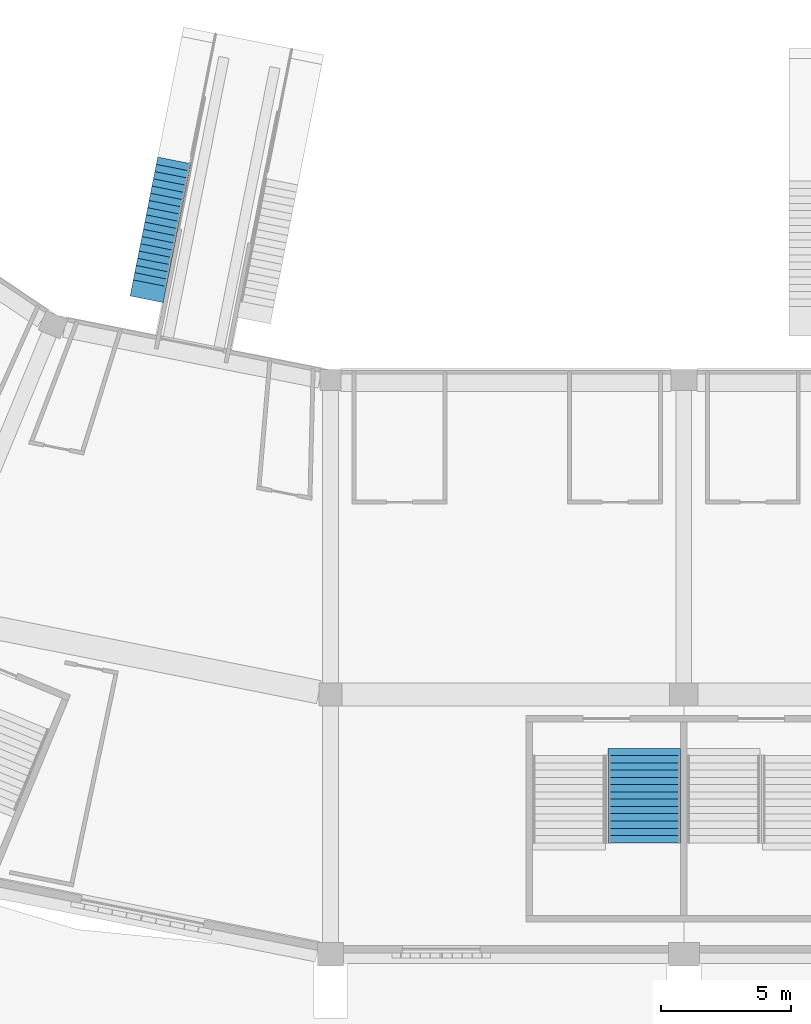
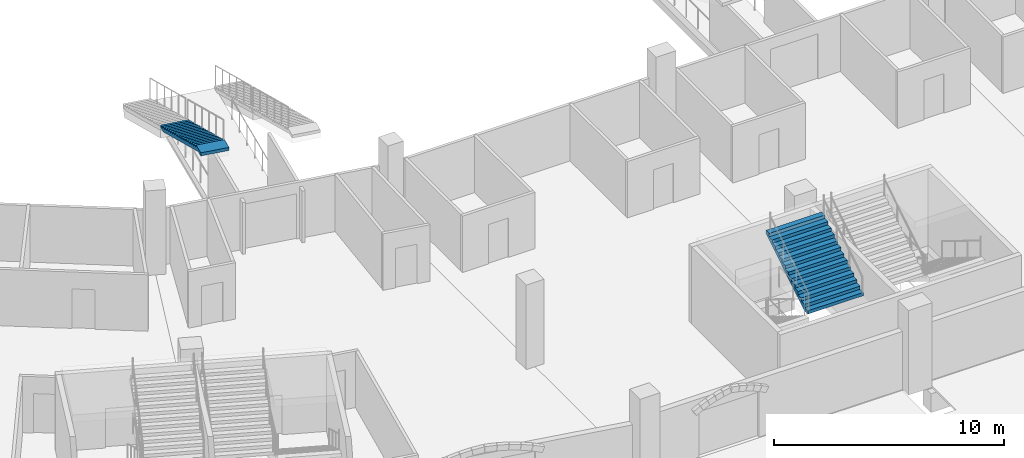
# One storey, part 52 of 175: 2 stair flights, 2 elements without a shape of their own.
"""IFC4 building model written with IfcOpenShell, lengths in metres."""

from ifc_helpers import new_model, si_unit, direction, frame, origin, place, context, subcontext, project, spatial, faceted_brep, material, type_object, element, aggregate, save


model = new_model("IFC4")

# Units and contexts
model_context = context("Model", 3, precision=1e-05, world=origin(), true_north=direction((0.0, 1.0)))
body_context = subcontext(model_context, "Body", "Model", "MODEL_VIEW")
ifc_project = project(units=[si_unit("LENGTHUNIT", "METRE"), si_unit("AREAUNIT", "SQUARE_METRE"), si_unit("VOLUMEUNIT", "CUBIC_METRE"), si_unit("PLANEANGLEUNIT", "RADIAN"), si_unit("MASSUNIT", "GRAM", prefix="KILO")], contexts=[model_context])

# Site, building, storey
site_placement = place(None, origin())
site = spatial("IfcSite", under=ifc_project, at=site_placement, CompositionType="ELEMENT")
building_placement = place(site_placement, origin())
building = spatial("IfcBuilding", under=site, at=building_placement, Name="Ogive Plaza Stadium", CompositionType="ELEMENT")
storey_placement = place(building_placement, origin())
storey = spatial("IfcBuildingStorey", under=building, at=storey_placement, Name="L00", CompositionType="ELEMENT", Elevation=0.0)

# Stair, stair flight
ifc_material_1 = material(Name="Concrete C40/50", Category="concrete")
stair_type_1 = type_object("IfcStairType", Name="Aisle stair", PredefinedType="STRAIGHT_RUN_STAIR", material=ifc_material_1)
stair_1_placement = place(storey_placement, origin())
stair_1 = element("IfcStair", 1, at=stair_1_placement, inside=storey, type_object=stair_type_1, Name="Aisle stair SA17L", PredefinedType="STRAIGHT_RUN_STAIR")
ifc_material_2 = material(Name="Concrete C40/50", Category="concrete")
stair_flight_type_1 = type_object("IfcStairFlightType", Name="Aisle stair flight", PredefinedType="STRAIGHT", material=ifc_material_2)
stair_flight_1_placement = place(storey_placement, frame((-40.01025390625, -71.951171875, 2.25), z_axis=(0.0, 0.0, 1.0), x_axis=(-0.195090322016, -0.980785280403, 0.0)))
stair_flight_1 = element("IfcStairFlight", 2, at=stair_flight_1_placement, type_object=stair_flight_type_1, Name="SA17L flight 2", NumberOfRisers=18, NumberOfTreads=17, PredefinedType="STRAIGHT", RiserHeight=0.125, TreadLength=0.283333333, context=body_context, shape_type="Brep", body=[
    faceted_brep([(0.371337890625, -0.64990234375, 0.0), (5.10009765625, -0.64990234375, 2.086181640625), (5.446533203125, -0.64990234375, 2.086181640625), (5.446533203125, -0.64990234375, 2.25), (4.816650390625, -0.64990234375, 2.25), (4.816650390625, -0.64990234375, 2.125), (4.533447265625, -0.64990234375, 2.125), (4.533447265625, -0.64990234375, 2.0), (4.25, -0.64990234375, 2.0), (4.25, -0.64990234375, 1.875), (3.966552734375, -0.64990234375, 1.875), (3.966552734375, -0.64990234375, 1.75), (3.683349609375, -0.64990234375, 1.75), (3.683349609375, -0.64990234375, 1.625), (3.39990234375, -0.64990234375, 1.625), (3.39990234375, -0.64990234375, 1.5), (3.11669921875, -0.64990234375, 1.5), (3.11669921875, -0.64990234375, 1.375), (2.833251953125, -0.64990234375, 1.375), (2.833251953125, -0.64990234375, 1.25), (2.550048828125, -0.64990234375, 1.25), (2.550048828125, -0.64990234375, 1.125), (2.2666015625, -0.64990234375, 1.125), (2.2666015625, -0.64990234375, 1.0), (1.9833984375, -0.64990234375, 1.0), (1.9833984375, -0.64990234375, 0.875), (1.699951171875, -0.64990234375, 0.875), (1.699951171875, -0.64990234375, 0.75), (1.416748046875, -0.64990234375, 0.75), (1.416748046875, -0.64990234375, 0.625), (1.13330078125, -0.64990234375, 0.625), (1.13330078125, -0.64990234375, 0.5), (0.85009765625, -0.64990234375, 0.5), (0.85009765625, -0.64990234375, 0.375), (0.566650390625, -0.64990234375, 0.375), (0.566650390625, -0.64990234375, 0.25), (0.283447265625, -0.64990234375, 0.25), (0.283447265625, -0.64990234375, 0.125), (0.0, -0.64990234375, 0.125), (0.0, -0.64990234375, 0.0), (0.0, 0.64990234375, 0.0), (0.0, 0.64990234375, 0.125), (0.283447265625, 0.64990234375, 0.125), (0.283447265625, 0.64990234375, 0.25), (0.566650390625, 0.64990234375, 0.25), (0.566650390625, 0.64990234375, 0.375), (0.85009765625, 0.64990234375, 0.375), (0.85009765625, 0.64990234375, 0.5), (1.13330078125, 0.64990234375, 0.5), (1.13330078125, 0.64990234375, 0.625), (1.416748046875, 0.64990234375, 0.625), (1.416748046875, 0.64990234375, 0.75), (1.699951171875, 0.64990234375, 0.75), (1.699951171875, 0.64990234375, 0.875), (1.9833984375, 0.64990234375, 0.875), (1.9833984375, 0.64990234375, 1.0), (2.2666015625, 0.64990234375, 1.0), (2.2666015625, 0.64990234375, 1.125), (2.550048828125, 0.64990234375, 1.125), (2.550048828125, 0.64990234375, 1.25), (2.833251953125, 0.64990234375, 1.25), (2.833251953125, 0.64990234375, 1.375), (3.11669921875, 0.64990234375, 1.375), (3.11669921875, 0.64990234375, 1.5), (3.39990234375, 0.64990234375, 1.5), (3.39990234375, 0.64990234375, 1.625), (3.683349609375, 0.64990234375, 1.625), (3.683349609375, 0.64990234375, 1.75), (3.966552734375, 0.64990234375, 1.75), (3.966552734375, 0.64990234375, 1.875), (4.25, 0.64990234375, 1.875), (4.25, 0.64990234375, 2.0), (4.533447265625, 0.64990234375, 2.0), (4.533447265625, 0.64990234375, 2.125), (4.816650390625, 0.64990234375, 2.125), (4.816650390625, 0.64990234375, 2.25), (5.446533203125, 0.64990234375, 2.25), (5.446533203125, 0.64990234375, 2.086181640625), (5.10009765625, 0.64990234375, 2.086181640625), (0.371337890625, 0.64990234375, 0.0), (0.371337890625, -0.324951171875, 0.0), (5.10009765625, -0.324951171875, 2.086181640625), (0.371337890625, 0.0, 0.0), (5.10009765625, 0.0, 2.086181640625), (0.371337890625, 0.324951171875, 0.0), (5.10009765625, 0.324951171875, 2.086181640625), (5.446533203125, -0.324951171875, 2.086181640625), (5.446533203125, 0.0, 2.086181640625), (5.446533203125, 0.324951171875, 2.086181640625), (5.446533203125, -0.324951171875, 2.25), (5.446533203125, 0.0, 2.25), (5.446533203125, 0.324951171875, 2.25), (4.816650390625, -0.324951171875, 2.25), (4.816650390625, 0.0, 2.25), (4.816650390625, 0.324951171875, 2.25), (4.816650390625, -0.324951171875, 2.125), (4.816650390625, 0.0, 2.125), (4.816650390625, 0.324951171875, 2.125), (4.533447265625, -0.324951171875, 2.125), (4.533447265625, 0.0, 2.125), (4.533447265625, 0.324951171875, 2.125), (4.533447265625, -0.324951171875, 2.0), (4.533447265625, 0.0, 2.0), (4.533447265625, 0.324951171875, 2.0), (4.25, -0.324951171875, 2.0), (4.25, 0.0, 2.0), (4.25, 0.324951171875, 2.0), (4.25, -0.324951171875, 1.875), (4.25, 0.0, 1.875), (4.25, 0.324951171875, 1.875), (3.966552734375, -0.324951171875, 1.875), (3.966552734375, 0.0, 1.875), (3.966552734375, 0.324951171875, 1.875), (3.966552734375, -0.324951171875, 1.75), (3.966552734375, 0.0, 1.75), (3.966552734375, 0.324951171875, 1.75), (3.683349609375, -0.324951171875, 1.75), (3.683349609375, 0.0, 1.75), (3.683349609375, 0.324951171875, 1.75), (3.683349609375, -0.324951171875, 1.625), (3.683349609375, 0.0, 1.625), (3.683349609375, 0.324951171875, 1.625), (3.39990234375, -0.324951171875, 1.625), (3.39990234375, 0.0, 1.625), (3.39990234375, 0.324951171875, 1.625), (3.39990234375, -0.324951171875, 1.5), (3.39990234375, 0.0, 1.5), (3.39990234375, 0.324951171875, 1.5), (3.11669921875, -0.324951171875, 1.5), (3.11669921875, 0.0, 1.5), (3.11669921875, 0.324951171875, 1.5), (3.11669921875, -0.324951171875, 1.375), (3.11669921875, 0.0, 1.375), (3.11669921875, 0.324951171875, 1.375), (2.833251953125, -0.324951171875, 1.375), (2.833251953125, 0.0, 1.375), (2.833251953125, 0.324951171875, 1.375), (2.833251953125, -0.324951171875, 1.25), (2.833251953125, 0.0, 1.25), (2.833251953125, 0.324951171875, 1.25), (2.550048828125, -0.324951171875, 1.25), (2.550048828125, 0.0, 1.25), (2.550048828125, 0.324951171875, 1.25), (2.550048828125, -0.324951171875, 1.125), (2.550048828125, 0.0, 1.125), (2.550048828125, 0.324951171875, 1.125), (2.2666015625, -0.324951171875, 1.125), (2.2666015625, 0.0, 1.125), (2.2666015625, 0.324951171875, 1.125), (2.2666015625, -0.324951171875, 1.0), (2.2666015625, 0.0, 1.0), (2.2666015625, 0.324951171875, 1.0), (1.9833984375, -0.324951171875, 1.0), (1.9833984375, 0.0, 1.0), (1.9833984375, 0.324951171875, 1.0), (1.9833984375, -0.324951171875, 0.875), (1.9833984375, 0.0, 0.875), (1.9833984375, 0.324951171875, 0.875), (1.699951171875, -0.324951171875, 0.875), (1.699951171875, 0.0, 0.875), (1.699951171875, 0.324951171875, 0.875), (1.699951171875, -0.324951171875, 0.75), (1.699951171875, 0.0, 0.75), (1.699951171875, 0.324951171875, 0.75), (1.416748046875, -0.324951171875, 0.75), (1.416748046875, 0.0, 0.75), (1.416748046875, 0.324951171875, 0.75), (1.416748046875, -0.324951171875, 0.625), (1.416748046875, 0.0, 0.625), (1.416748046875, 0.324951171875, 0.625), (1.13330078125, -0.324951171875, 0.625), (1.13330078125, 0.0, 0.625), (1.13330078125, 0.324951171875, 0.625), (1.13330078125, -0.324951171875, 0.5), (1.13330078125, 0.0, 0.5), (1.13330078125, 0.324951171875, 0.5), (0.85009765625, -0.324951171875, 0.5), (0.85009765625, 0.0, 0.5), (0.85009765625, 0.324951171875, 0.5), (0.85009765625, -0.324951171875, 0.375), (0.85009765625, 0.0, 0.375), (0.85009765625, 0.324951171875, 0.375), (0.566650390625, -0.324951171875, 0.375), (0.566650390625, 0.0, 0.375), (0.566650390625, 0.324951171875, 0.375), (0.566650390625, -0.324951171875, 0.25), (0.566650390625, 0.0, 0.25), (0.566650390625, 0.324951171875, 0.25), (0.283447265625, -0.324951171875, 0.25), (0.283447265625, 0.0, 0.25), (0.283447265625, 0.324951171875, 0.25), (0.283447265625, -0.324951171875, 0.125), (0.283447265625, 0.0, 0.125), (0.283447265625, 0.324951171875, 0.125), (0.0, -0.324951171875, 0.125), (0.0, 0.0, 0.125), (0.0, 0.324951171875, 0.125), (0.0, -0.324951171875, 0.0), (0.0, 0.0, 0.0), (0.0, 0.324951171875, 0.0)], [[[0, 1, 2, 3, 4, 5, 6, 7, 8, 9, 10, 11, 12, 13, 14, 15, 16, 17, 18, 19, 20, 21, 22, 23, 24, 25, 26, 27, 28, 29, 30, 31, 32, 33, 34, 35, 36, 37, 38, 39]], [[40, 41, 42, 43, 44, 45, 46, 47, 48, 49, 50, 51, 52, 53, 54, 55, 56, 57, 58, 59, 60, 61, 62, 63, 64, 65, 66, 67, 68, 69, 70, 71, 72, 73, 74, 75, 76, 77, 78, 79]], [[0, 80, 81, 1]], [[80, 82, 83, 81]], [[82, 84, 85, 83]], [[84, 79, 78, 85]], [[1, 81, 86, 2]], [[81, 83, 87, 86]], [[83, 85, 88, 87]], [[85, 78, 77, 88]], [[2, 86, 89, 3]], [[86, 87, 90, 89]], [[87, 88, 91, 90]], [[88, 77, 76, 91]], [[3, 89, 92, 4]], [[89, 90, 93, 92]], [[90, 91, 94, 93]], [[91, 76, 75, 94]], [[4, 92, 95, 5]], [[92, 93, 96, 95]], [[93, 94, 97, 96]], [[94, 75, 74, 97]], [[5, 95, 98, 6]], [[95, 96, 99, 98]], [[96, 97, 100, 99]], [[97, 74, 73, 100]], [[6, 98, 101, 7]], [[98, 99, 102, 101]], [[99, 100, 103, 102]], [[100, 73, 72, 103]], [[7, 101, 104, 8]], [[101, 102, 105, 104]], [[102, 103, 106, 105]], [[103, 72, 71, 106]], [[8, 104, 107, 9]], [[104, 105, 108, 107]], [[105, 106, 109, 108]], [[106, 71, 70, 109]], [[9, 107, 110, 10]], [[107, 108, 111, 110]], [[108, 109, 112, 111]], [[109, 70, 69, 112]], [[10, 110, 113, 11]], [[110, 111, 114, 113]], [[111, 112, 115, 114]], [[112, 69, 68, 115]], [[11, 113, 116, 12]], [[113, 114, 117, 116]], [[114, 115, 118, 117]], [[115, 68, 67, 118]], [[12, 116, 119, 13]], [[116, 117, 120, 119]], [[117, 118, 121, 120]], [[118, 67, 66, 121]], [[13, 119, 122, 14]], [[119, 120, 123, 122]], [[120, 121, 124, 123]], [[121, 66, 65, 124]], [[14, 122, 125, 15]], [[122, 123, 126, 125]], [[123, 124, 127, 126]], [[124, 65, 64, 127]], [[15, 125, 128, 16]], [[125, 126, 129, 128]], [[126, 127, 130, 129]], [[127, 64, 63, 130]], [[16, 128, 131, 17]], [[128, 129, 132, 131]], [[129, 130, 133, 132]], [[130, 63, 62, 133]], [[17, 131, 134, 18]], [[131, 132, 135, 134]], [[132, 133, 136, 135]], [[133, 62, 61, 136]], [[18, 134, 137, 19]], [[134, 135, 138, 137]], [[135, 136, 139, 138]], [[136, 61, 60, 139]], [[19, 137, 140, 20]], [[137, 138, 141, 140]], [[138, 139, 142, 141]], [[139, 60, 59, 142]], [[20, 140, 143, 21]], [[140, 141, 144, 143]], [[141, 142, 145, 144]], [[142, 59, 58, 145]], [[21, 143, 146, 22]], [[143, 144, 147, 146]], [[144, 145, 148, 147]], [[145, 58, 57, 148]], [[22, 146, 149, 23]], [[146, 147, 150, 149]], [[147, 148, 151, 150]], [[148, 57, 56, 151]], [[23, 149, 152, 24]], [[149, 150, 153, 152]], [[150, 151, 154, 153]], [[151, 56, 55, 154]], [[24, 152, 155, 25]], [[152, 153, 156, 155]], [[153, 154, 157, 156]], [[154, 55, 54, 157]], [[25, 155, 158, 26]], [[155, 156, 159, 158]], [[156, 157, 160, 159]], [[157, 54, 53, 160]], [[26, 158, 161, 27]], [[158, 159, 162, 161]], [[159, 160, 163, 162]], [[160, 53, 52, 163]], [[27, 161, 164, 28]], [[161, 162, 165, 164]], [[162, 163, 166, 165]], [[163, 52, 51, 166]], [[28, 164, 167, 29]], [[164, 165, 168, 167]], [[165, 166, 169, 168]], [[166, 51, 50, 169]], [[29, 167, 170, 30]], [[167, 168, 171, 170]], [[168, 169, 172, 171]], [[169, 50, 49, 172]], [[30, 170, 173, 31]], [[170, 171, 174, 173]], [[171, 172, 175, 174]], [[172, 49, 48, 175]], [[31, 173, 176, 32]], [[173, 174, 177, 176]], [[174, 175, 178, 177]], [[175, 48, 47, 178]], [[32, 176, 179, 33]], [[176, 177, 180, 179]], [[177, 178, 181, 180]], [[178, 47, 46, 181]], [[33, 179, 182, 34]], [[179, 180, 183, 182]], [[180, 181, 184, 183]], [[181, 46, 45, 184]], [[34, 182, 185, 35]], [[182, 183, 186, 185]], [[183, 184, 187, 186]], [[184, 45, 44, 187]], [[35, 185, 188, 36]], [[185, 186, 189, 188]], [[186, 187, 190, 189]], [[187, 44, 43, 190]], [[36, 188, 191, 37]], [[188, 189, 192, 191]], [[189, 190, 193, 192]], [[190, 43, 42, 193]], [[37, 191, 194, 38]], [[191, 192, 195, 194]], [[192, 193, 196, 195]], [[193, 42, 41, 196]], [[38, 194, 197, 39]], [[194, 195, 198, 197]], [[195, 196, 199, 198]], [[196, 41, 40, 199]], [[39, 197, 80, 0]], [[197, 198, 82, 80]], [[198, 199, 84, 82]], [[199, 40, 79, 84]]]),
])
aggregate(stair_1, [stair_flight_1])

ifc_material_3 = material(Name="Concrete C40/50", Category="concrete")
stair_type_2 = type_object("IfcStairType", Name="Exit stair", PredefinedType="STRAIGHT_RUN_STAIR", material=ifc_material_3)
stair_2_placement = place(storey_placement, origin())
stair_2 = element("IfcStair", 3, at=stair_2_placement, inside=storey, type_object=stair_type_2, Name="Exit stair ST16A L00 to L01", PredefinedType="STRAIGHT_RUN_STAIR")
ifc_material_4 = material(Name="Concrete C40/50", Category="concrete")
stair_flight_type_2 = type_object("IfcStairFlightType", Name="Exit stair flight", PredefinedType="STRAIGHT", material=ifc_material_4)
stair_flight_2_placement = place(storey_placement, frame((-21.925048828125, -98.2099609375, 2.25), z_axis=(0.0, 0.0, 1.0), x_axis=(0.0, 1.0, 0.0)))
stair_flight_2 = element("IfcStairFlight", 4, at=stair_flight_2_placement, type_object=stair_flight_type_2, Name="ST16A flight 2", NumberOfRisers=13, NumberOfTreads=12, PredefinedType="STRAIGHT", RiserHeight=0.173076923, TreadLength=0.28, context=body_context, shape_type="Brep", body=[
    faceted_brep([(0.28515625, -1.39990234375, 0.0), (3.639892578125, -1.39990234375, 2.07373046875), (3.639892578125, -1.39990234375, 2.25), (3.360107421875, -1.39990234375, 2.25), (3.360107421875, -1.39990234375, 2.076904296875), (3.080078125, -1.39990234375, 2.076904296875), (3.080078125, -1.39990234375, 1.90380859375), (2.800048828125, -1.39990234375, 1.90380859375), (2.800048828125, -1.39990234375, 1.730712890625), (2.52001953125, -1.39990234375, 1.730712890625), (2.52001953125, -1.39990234375, 1.5576171875), (2.239990234375, -1.39990234375, 1.5576171875), (2.239990234375, -1.39990234375, 1.384521484375), (1.9599609375, -1.39990234375, 1.384521484375), (1.9599609375, -1.39990234375, 1.21142578125), (1.679931640625, -1.39990234375, 1.21142578125), (1.679931640625, -1.39990234375, 1.03857421875), (1.39990234375, -1.39990234375, 1.03857421875), (1.39990234375, -1.39990234375, 0.865478515625), (1.1201171875, -1.39990234375, 0.865478515625), (1.1201171875, -1.39990234375, 0.6923828125), (0.840087890625, -1.39990234375, 0.6923828125), (0.840087890625, -1.39990234375, 0.519287109375), (0.56005859375, -1.39990234375, 0.519287109375), (0.56005859375, -1.39990234375, 0.34619140625), (0.280029296875, -1.39990234375, 0.34619140625), (0.280029296875, -1.39990234375, 0.173095703125), (0.0, -1.39990234375, 0.173095703125), (0.0, -1.39990234375, 0.0), (0.0, 1.39990234375, 0.0), (0.0, 1.39990234375, 0.173095703125), (0.280029296875, 1.39990234375, 0.173095703125), (0.280029296875, 1.39990234375, 0.34619140625), (0.56005859375, 1.39990234375, 0.34619140625), (0.56005859375, 1.39990234375, 0.519287109375), (0.840087890625, 1.39990234375, 0.519287109375), (0.840087890625, 1.39990234375, 0.6923828125), (1.1201171875, 1.39990234375, 0.6923828125), (1.1201171875, 1.39990234375, 0.865478515625), (1.39990234375, 1.39990234375, 0.865478515625), (1.39990234375, 1.39990234375, 1.03857421875), (1.679931640625, 1.39990234375, 1.03857421875), (1.679931640625, 1.39990234375, 1.21142578125), (1.9599609375, 1.39990234375, 1.21142578125), (1.9599609375, 1.39990234375, 1.384521484375), (2.239990234375, 1.39990234375, 1.384521484375), (2.239990234375, 1.39990234375, 1.5576171875), (2.52001953125, 1.39990234375, 1.5576171875), (2.52001953125, 1.39990234375, 1.730712890625), (2.800048828125, 1.39990234375, 1.730712890625), (2.800048828125, 1.39990234375, 1.90380859375), (3.080078125, 1.39990234375, 1.90380859375), (3.080078125, 1.39990234375, 2.076904296875), (3.360107421875, 1.39990234375, 2.076904296875), (3.360107421875, 1.39990234375, 2.25), (3.639892578125, 1.39990234375, 2.25), (3.639892578125, 1.39990234375, 2.07373046875), (0.28515625, 1.39990234375, 0.0), (0.28515625, -1.0888671875, 0.0), (3.639892578125, -1.0888671875, 2.07373046875), (0.28515625, -0.77783203125, 0.0), (3.639892578125, -0.77783203125, 2.07373046875), (0.28515625, -0.466796875, 0.0), (3.639892578125, -0.466796875, 2.07373046875), (0.28515625, -0.155517578125, 0.0), (3.639892578125, -0.155517578125, 2.07373046875), (0.28515625, 0.155517578125, 0.0), (3.639892578125, 0.155517578125, 2.07373046875), (0.28515625, 0.466796875, 0.0), (3.639892578125, 0.466796875, 2.07373046875), (0.28515625, 0.77783203125, 0.0), (3.639892578125, 0.77783203125, 2.07373046875), (0.28515625, 1.0888671875, 0.0), (3.639892578125, 1.0888671875, 2.07373046875), (3.639892578125, -1.0888671875, 2.25), (3.639892578125, -0.77783203125, 2.25), (3.639892578125, -0.466796875, 2.25), (3.639892578125, -0.155517578125, 2.25), (3.639892578125, 0.155517578125, 2.25), (3.639892578125, 0.466796875, 2.25), (3.639892578125, 0.77783203125, 2.25), (3.639892578125, 1.0888671875, 2.25), (3.360107421875, -1.0888671875, 2.25), (3.360107421875, -0.77783203125, 2.25), (3.360107421875, -0.466796875, 2.25), (3.360107421875, -0.155517578125, 2.25), (3.360107421875, 0.155517578125, 2.25), (3.360107421875, 0.466796875, 2.25), (3.360107421875, 0.77783203125, 2.25), (3.360107421875, 1.0888671875, 2.25), (3.360107421875, -1.0888671875, 2.076904296875), (3.360107421875, -0.77783203125, 2.076904296875), (3.360107421875, -0.466796875, 2.076904296875), (3.360107421875, -0.155517578125, 2.076904296875), (3.360107421875, 0.155517578125, 2.076904296875), (3.360107421875, 0.466796875, 2.076904296875), (3.360107421875, 0.77783203125, 2.076904296875), (3.360107421875, 1.0888671875, 2.076904296875), (3.080078125, -1.0888671875, 2.076904296875), (3.080078125, -0.77783203125, 2.076904296875), (3.080078125, -0.466796875, 2.076904296875), (3.080078125, -0.155517578125, 2.076904296875), (3.080078125, 0.155517578125, 2.076904296875), (3.080078125, 0.466796875, 2.076904296875), (3.080078125, 0.77783203125, 2.076904296875), (3.080078125, 1.0888671875, 2.076904296875), (3.080078125, -1.0888671875, 1.90380859375), (3.080078125, -0.77783203125, 1.90380859375), (3.080078125, -0.466796875, 1.90380859375), (3.080078125, -0.155517578125, 1.90380859375), (3.080078125, 0.155517578125, 1.90380859375), (3.080078125, 0.466796875, 1.90380859375), (3.080078125, 0.77783203125, 1.90380859375), (3.080078125, 1.0888671875, 1.90380859375), (2.800048828125, -1.0888671875, 1.90380859375), (2.800048828125, -0.77783203125, 1.90380859375), (2.800048828125, -0.466796875, 1.90380859375), (2.800048828125, -0.155517578125, 1.90380859375), (2.800048828125, 0.155517578125, 1.90380859375), (2.800048828125, 0.466796875, 1.90380859375), (2.800048828125, 0.77783203125, 1.90380859375), (2.800048828125, 1.0888671875, 1.90380859375), (2.800048828125, -1.0888671875, 1.730712890625), (2.800048828125, -0.77783203125, 1.730712890625), (2.800048828125, -0.466796875, 1.730712890625), (2.800048828125, -0.155517578125, 1.730712890625), (2.800048828125, 0.155517578125, 1.730712890625), (2.800048828125, 0.466796875, 1.730712890625), (2.800048828125, 0.77783203125, 1.730712890625), (2.800048828125, 1.0888671875, 1.730712890625), (2.52001953125, -1.0888671875, 1.730712890625), (2.52001953125, -0.77783203125, 1.730712890625), (2.52001953125, -0.466796875, 1.730712890625), (2.52001953125, -0.155517578125, 1.730712890625), (2.52001953125, 0.155517578125, 1.730712890625), (2.52001953125, 0.466796875, 1.730712890625), (2.52001953125, 0.77783203125, 1.730712890625), (2.52001953125, 1.0888671875, 1.730712890625), (2.52001953125, -1.0888671875, 1.5576171875), (2.52001953125, -0.77783203125, 1.5576171875), (2.52001953125, -0.466796875, 1.5576171875), (2.52001953125, -0.155517578125, 1.5576171875), (2.52001953125, 0.155517578125, 1.5576171875), (2.52001953125, 0.466796875, 1.5576171875), (2.52001953125, 0.77783203125, 1.5576171875), (2.52001953125, 1.0888671875, 1.5576171875), (2.239990234375, -1.0888671875, 1.5576171875), (2.239990234375, -0.77783203125, 1.5576171875), (2.239990234375, -0.466796875, 1.5576171875), (2.239990234375, -0.155517578125, 1.5576171875), (2.239990234375, 0.155517578125, 1.5576171875), (2.239990234375, 0.466796875, 1.5576171875), (2.239990234375, 0.77783203125, 1.5576171875), (2.239990234375, 1.0888671875, 1.5576171875), (2.239990234375, -1.0888671875, 1.384521484375), (2.239990234375, -0.77783203125, 1.384521484375), (2.239990234375, -0.466796875, 1.384521484375), (2.239990234375, -0.155517578125, 1.384521484375), (2.239990234375, 0.155517578125, 1.384521484375), (2.239990234375, 0.466796875, 1.384521484375), (2.239990234375, 0.77783203125, 1.384521484375), (2.239990234375, 1.0888671875, 1.384521484375), (1.9599609375, -1.0888671875, 1.384521484375), (1.9599609375, -0.77783203125, 1.384521484375), (1.9599609375, -0.466796875, 1.384521484375), (1.9599609375, -0.155517578125, 1.384521484375), (1.9599609375, 0.155517578125, 1.384521484375), (1.9599609375, 0.466796875, 1.384521484375), (1.9599609375, 0.77783203125, 1.384521484375), (1.9599609375, 1.0888671875, 1.384521484375), (1.9599609375, -1.0888671875, 1.21142578125), (1.9599609375, -0.77783203125, 1.21142578125), (1.9599609375, -0.466796875, 1.21142578125), (1.9599609375, -0.155517578125, 1.21142578125), (1.9599609375, 0.155517578125, 1.21142578125), (1.9599609375, 0.466796875, 1.21142578125), (1.9599609375, 0.77783203125, 1.21142578125), (1.9599609375, 1.0888671875, 1.21142578125), (1.679931640625, -1.0888671875, 1.21142578125), (1.679931640625, -0.77783203125, 1.21142578125), (1.679931640625, -0.466796875, 1.21142578125), (1.679931640625, -0.155517578125, 1.21142578125), (1.679931640625, 0.155517578125, 1.21142578125), (1.679931640625, 0.466796875, 1.21142578125), (1.679931640625, 0.77783203125, 1.21142578125), (1.679931640625, 1.0888671875, 1.21142578125), (1.679931640625, -1.0888671875, 1.03857421875), (1.679931640625, -0.77783203125, 1.03857421875), (1.679931640625, -0.466796875, 1.03857421875), (1.679931640625, -0.155517578125, 1.03857421875), (1.679931640625, 0.155517578125, 1.03857421875), (1.679931640625, 0.466796875, 1.03857421875), (1.679931640625, 0.77783203125, 1.03857421875), (1.679931640625, 1.0888671875, 1.03857421875), (1.39990234375, -1.0888671875, 1.03857421875), (1.39990234375, -0.77783203125, 1.03857421875), (1.39990234375, -0.466796875, 1.03857421875), (1.39990234375, -0.155517578125, 1.03857421875), (1.39990234375, 0.155517578125, 1.03857421875), (1.39990234375, 0.466796875, 1.03857421875), (1.39990234375, 0.77783203125, 1.03857421875), (1.39990234375, 1.0888671875, 1.03857421875), (1.39990234375, -1.0888671875, 0.865478515625), (1.39990234375, -0.77783203125, 0.865478515625), (1.39990234375, -0.466796875, 0.865478515625), (1.39990234375, -0.155517578125, 0.865478515625), (1.39990234375, 0.155517578125, 0.865478515625), (1.39990234375, 0.466796875, 0.865478515625), (1.39990234375, 0.77783203125, 0.865478515625), (1.39990234375, 1.0888671875, 0.865478515625), (1.1201171875, -1.0888671875, 0.865478515625), (1.1201171875, -0.77783203125, 0.865478515625), (1.1201171875, -0.466796875, 0.865478515625), (1.1201171875, -0.155517578125, 0.865478515625), (1.1201171875, 0.155517578125, 0.865478515625), (1.1201171875, 0.466796875, 0.865478515625), (1.1201171875, 0.77783203125, 0.865478515625), (1.1201171875, 1.0888671875, 0.865478515625), (1.1201171875, -1.0888671875, 0.6923828125), (1.1201171875, -0.77783203125, 0.6923828125), (1.1201171875, -0.466796875, 0.6923828125), (1.1201171875, -0.155517578125, 0.6923828125), (1.1201171875, 0.155517578125, 0.6923828125), (1.1201171875, 0.466796875, 0.6923828125), (1.1201171875, 0.77783203125, 0.6923828125), (1.1201171875, 1.0888671875, 0.6923828125), (0.840087890625, -1.0888671875, 0.6923828125), (0.840087890625, -0.77783203125, 0.6923828125), (0.840087890625, -0.466796875, 0.6923828125), (0.840087890625, -0.155517578125, 0.6923828125), (0.840087890625, 0.155517578125, 0.6923828125), (0.840087890625, 0.466796875, 0.6923828125), (0.840087890625, 0.77783203125, 0.6923828125), (0.840087890625, 1.0888671875, 0.6923828125), (0.840087890625, -1.0888671875, 0.519287109375), (0.840087890625, -0.77783203125, 0.519287109375), (0.840087890625, -0.466796875, 0.519287109375), (0.840087890625, -0.155517578125, 0.519287109375), (0.840087890625, 0.155517578125, 0.519287109375), (0.840087890625, 0.466796875, 0.519287109375), (0.840087890625, 0.77783203125, 0.519287109375), (0.840087890625, 1.0888671875, 0.519287109375), (0.56005859375, -1.0888671875, 0.519287109375), (0.56005859375, -0.77783203125, 0.519287109375), (0.56005859375, -0.466796875, 0.519287109375), (0.56005859375, -0.155517578125, 0.519287109375), (0.56005859375, 0.155517578125, 0.519287109375), (0.56005859375, 0.466796875, 0.519287109375), (0.56005859375, 0.77783203125, 0.519287109375), (0.56005859375, 1.0888671875, 0.519287109375), (0.56005859375, -1.0888671875, 0.34619140625), (0.56005859375, -0.77783203125, 0.34619140625), (0.56005859375, -0.466796875, 0.34619140625), (0.56005859375, -0.155517578125, 0.34619140625), (0.56005859375, 0.155517578125, 0.34619140625), (0.56005859375, 0.466796875, 0.34619140625), (0.56005859375, 0.77783203125, 0.34619140625), (0.56005859375, 1.0888671875, 0.34619140625), (0.280029296875, -1.0888671875, 0.34619140625), (0.280029296875, -0.77783203125, 0.34619140625), (0.280029296875, -0.466796875, 0.34619140625), (0.280029296875, -0.155517578125, 0.34619140625), (0.280029296875, 0.155517578125, 0.34619140625), (0.280029296875, 0.466796875, 0.34619140625), (0.280029296875, 0.77783203125, 0.34619140625), (0.280029296875, 1.0888671875, 0.34619140625), (0.280029296875, -1.0888671875, 0.173095703125), (0.280029296875, -0.77783203125, 0.173095703125), (0.280029296875, -0.466796875, 0.173095703125), (0.280029296875, -0.155517578125, 0.173095703125), (0.280029296875, 0.155517578125, 0.173095703125), (0.280029296875, 0.466796875, 0.173095703125), (0.280029296875, 0.77783203125, 0.173095703125), (0.280029296875, 1.0888671875, 0.173095703125), (0.0, -1.0888671875, 0.173095703125), (0.0, -0.77783203125, 0.173095703125), (0.0, -0.466796875, 0.173095703125), (0.0, -0.155517578125, 0.173095703125), (0.0, 0.155517578125, 0.173095703125), (0.0, 0.466796875, 0.173095703125), (0.0, 0.77783203125, 0.173095703125), (0.0, 1.0888671875, 0.173095703125), (0.0, -1.0888671875, 0.0), (0.0, -0.77783203125, 0.0), (0.0, -0.466796875, 0.0), (0.0, -0.155517578125, 0.0), (0.0, 0.155517578125, 0.0), (0.0, 0.466796875, 0.0), (0.0, 0.77783203125, 0.0), (0.0, 1.0888671875, 0.0)], [[[0, 1, 2, 3, 4, 5, 6, 7, 8, 9, 10, 11, 12, 13, 14, 15, 16, 17, 18, 19, 20, 21, 22, 23, 24, 25, 26, 27, 28]], [[29, 30, 31, 32, 33, 34, 35, 36, 37, 38, 39, 40, 41, 42, 43, 44, 45, 46, 47, 48, 49, 50, 51, 52, 53, 54, 55, 56, 57]], [[0, 58, 59, 1]], [[58, 60, 61, 59]], [[60, 62, 63, 61]], [[62, 64, 65, 63]], [[64, 66, 67, 65]], [[66, 68, 69, 67]], [[68, 70, 71, 69]], [[70, 72, 73, 71]], [[72, 57, 56, 73]], [[1, 59, 74, 2]], [[59, 61, 75, 74]], [[61, 63, 76, 75]], [[63, 65, 77, 76]], [[65, 67, 78, 77]], [[67, 69, 79, 78]], [[69, 71, 80, 79]], [[71, 73, 81, 80]], [[73, 56, 55, 81]], [[2, 74, 82, 3]], [[74, 75, 83, 82]], [[75, 76, 84, 83]], [[76, 77, 85, 84]], [[77, 78, 86, 85]], [[78, 79, 87, 86]], [[79, 80, 88, 87]], [[80, 81, 89, 88]], [[81, 55, 54, 89]], [[3, 82, 90, 4]], [[82, 83, 91, 90]], [[83, 84, 92, 91]], [[84, 85, 93, 92]], [[85, 86, 94, 93]], [[86, 87, 95, 94]], [[87, 88, 96, 95]], [[88, 89, 97, 96]], [[89, 54, 53, 97]], [[4, 90, 98, 5]], [[90, 91, 99, 98]], [[91, 92, 100, 99]], [[92, 93, 101, 100]], [[93, 94, 102, 101]], [[94, 95, 103, 102]], [[95, 96, 104, 103]], [[96, 97, 105, 104]], [[97, 53, 52, 105]], [[5, 98, 106, 6]], [[98, 99, 107, 106]], [[99, 100, 108, 107]], [[100, 101, 109, 108]], [[101, 102, 110, 109]], [[102, 103, 111, 110]], [[103, 104, 112, 111]], [[104, 105, 113, 112]], [[105, 52, 51, 113]], [[6, 106, 114, 7]], [[106, 107, 115, 114]], [[107, 108, 116, 115]], [[108, 109, 117, 116]], [[109, 110, 118, 117]], [[110, 111, 119, 118]], [[111, 112, 120, 119]], [[112, 113, 121, 120]], [[113, 51, 50, 121]], [[7, 114, 122, 8]], [[114, 115, 123, 122]], [[115, 116, 124, 123]], [[116, 117, 125, 124]], [[117, 118, 126, 125]], [[118, 119, 127, 126]], [[119, 120, 128, 127]], [[120, 121, 129, 128]], [[121, 50, 49, 129]], [[8, 122, 130, 9]], [[122, 123, 131, 130]], [[123, 124, 132, 131]], [[124, 125, 133, 132]], [[125, 126, 134, 133]], [[126, 127, 135, 134]], [[127, 128, 136, 135]], [[128, 129, 137, 136]], [[129, 49, 48, 137]], [[9, 130, 138, 10]], [[130, 131, 139, 138]], [[131, 132, 140, 139]], [[132, 133, 141, 140]], [[133, 134, 142, 141]], [[134, 135, 143, 142]], [[135, 136, 144, 143]], [[136, 137, 145, 144]], [[137, 48, 47, 145]], [[10, 138, 146, 11]], [[138, 139, 147, 146]], [[139, 140, 148, 147]], [[140, 141, 149, 148]], [[141, 142, 150, 149]], [[142, 143, 151, 150]], [[143, 144, 152, 151]], [[144, 145, 153, 152]], [[145, 47, 46, 153]], [[11, 146, 154, 12]], [[146, 147, 155, 154]], [[147, 148, 156, 155]], [[148, 149, 157, 156]], [[149, 150, 158, 157]], [[150, 151, 159, 158]], [[151, 152, 160, 159]], [[152, 153, 161, 160]], [[153, 46, 45, 161]], [[12, 154, 162, 13]], [[154, 155, 163, 162]], [[155, 156, 164, 163]], [[156, 157, 165, 164]], [[157, 158, 166, 165]], [[158, 159, 167, 166]], [[159, 160, 168, 167]], [[160, 161, 169, 168]], [[161, 45, 44, 169]], [[13, 162, 170, 14]], [[162, 163, 171, 170]], [[163, 164, 172, 171]], [[164, 165, 173, 172]], [[165, 166, 174, 173]], [[166, 167, 175, 174]], [[167, 168, 176, 175]], [[168, 169, 177, 176]], [[169, 44, 43, 177]], [[14, 170, 178, 15]], [[170, 171, 179, 178]], [[171, 172, 180, 179]], [[172, 173, 181, 180]], [[173, 174, 182, 181]], [[174, 175, 183, 182]], [[175, 176, 184, 183]], [[176, 177, 185, 184]], [[177, 43, 42, 185]], [[15, 178, 186, 16]], [[178, 179, 187, 186]], [[179, 180, 188, 187]], [[180, 181, 189, 188]], [[181, 182, 190, 189]], [[182, 183, 191, 190]], [[183, 184, 192, 191]], [[184, 185, 193, 192]], [[185, 42, 41, 193]], [[16, 186, 194, 17]], [[186, 187, 195, 194]], [[187, 188, 196, 195]], [[188, 189, 197, 196]], [[189, 190, 198, 197]], [[190, 191, 199, 198]], [[191, 192, 200, 199]], [[192, 193, 201, 200]], [[193, 41, 40, 201]], [[17, 194, 202, 18]], [[194, 195, 203, 202]], [[195, 196, 204, 203]], [[196, 197, 205, 204]], [[197, 198, 206, 205]], [[198, 199, 207, 206]], [[199, 200, 208, 207]], [[200, 201, 209, 208]], [[201, 40, 39, 209]], [[18, 202, 210, 19]], [[202, 203, 211, 210]], [[203, 204, 212, 211]], [[204, 205, 213, 212]], [[205, 206, 214, 213]], [[206, 207, 215, 214]], [[207, 208, 216, 215]], [[208, 209, 217, 216]], [[209, 39, 38, 217]], [[19, 210, 218, 20]], [[210, 211, 219, 218]], [[211, 212, 220, 219]], [[212, 213, 221, 220]], [[213, 214, 222, 221]], [[214, 215, 223, 222]], [[215, 216, 224, 223]], [[216, 217, 225, 224]], [[217, 38, 37, 225]], [[20, 218, 226, 21]], [[218, 219, 227, 226]], [[219, 220, 228, 227]], [[220, 221, 229, 228]], [[221, 222, 230, 229]], [[222, 223, 231, 230]], [[223, 224, 232, 231]], [[224, 225, 233, 232]], [[225, 37, 36, 233]], [[21, 226, 234, 22]], [[226, 227, 235, 234]], [[227, 228, 236, 235]], [[228, 229, 237, 236]], [[229, 230, 238, 237]], [[230, 231, 239, 238]], [[231, 232, 240, 239]], [[232, 233, 241, 240]], [[233, 36, 35, 241]], [[22, 234, 242, 23]], [[234, 235, 243, 242]], [[235, 236, 244, 243]], [[236, 237, 245, 244]], [[237, 238, 246, 245]], [[238, 239, 247, 246]], [[239, 240, 248, 247]], [[240, 241, 249, 248]], [[241, 35, 34, 249]], [[23, 242, 250, 24]], [[242, 243, 251, 250]], [[243, 244, 252, 251]], [[244, 245, 253, 252]], [[245, 246, 254, 253]], [[246, 247, 255, 254]], [[247, 248, 256, 255]], [[248, 249, 257, 256]], [[249, 34, 33, 257]], [[24, 250, 258, 25]], [[250, 251, 259, 258]], [[251, 252, 260, 259]], [[252, 253, 261, 260]], [[253, 254, 262, 261]], [[254, 255, 263, 262]], [[255, 256, 264, 263]], [[256, 257, 265, 264]], [[257, 33, 32, 265]], [[25, 258, 266, 26]], [[258, 259, 267, 266]], [[259, 260, 268, 267]], [[260, 261, 269, 268]], [[261, 262, 270, 269]], [[262, 263, 271, 270]], [[263, 264, 272, 271]], [[264, 265, 273, 272]], [[265, 32, 31, 273]], [[26, 266, 274, 27]], [[266, 267, 275, 274]], [[267, 268, 276, 275]], [[268, 269, 277, 276]], [[269, 270, 278, 277]], [[270, 271, 279, 278]], [[271, 272, 280, 279]], [[272, 273, 281, 280]], [[273, 31, 30, 281]], [[27, 274, 282, 28]], [[274, 275, 283, 282]], [[275, 276, 284, 283]], [[276, 277, 285, 284]], [[277, 278, 286, 285]], [[278, 279, 287, 286]], [[279, 280, 288, 287]], [[280, 281, 289, 288]], [[281, 30, 29, 289]], [[28, 282, 58, 0]], [[282, 283, 60, 58]], [[283, 284, 62, 60]], [[284, 285, 64, 62]], [[285, 286, 66, 64]], [[286, 287, 68, 66]], [[287, 288, 70, 68]], [[288, 289, 72, 70]], [[289, 29, 57, 72]]]),
])
aggregate(stair_2, [stair_flight_2])

save(model, "model.ifc")
